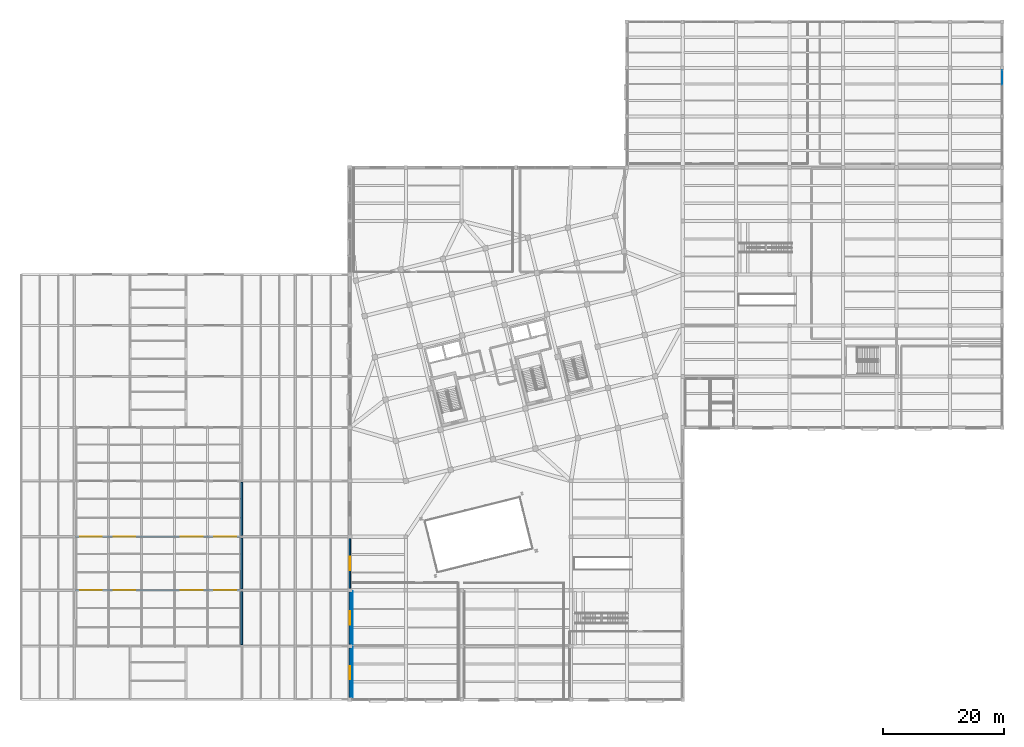
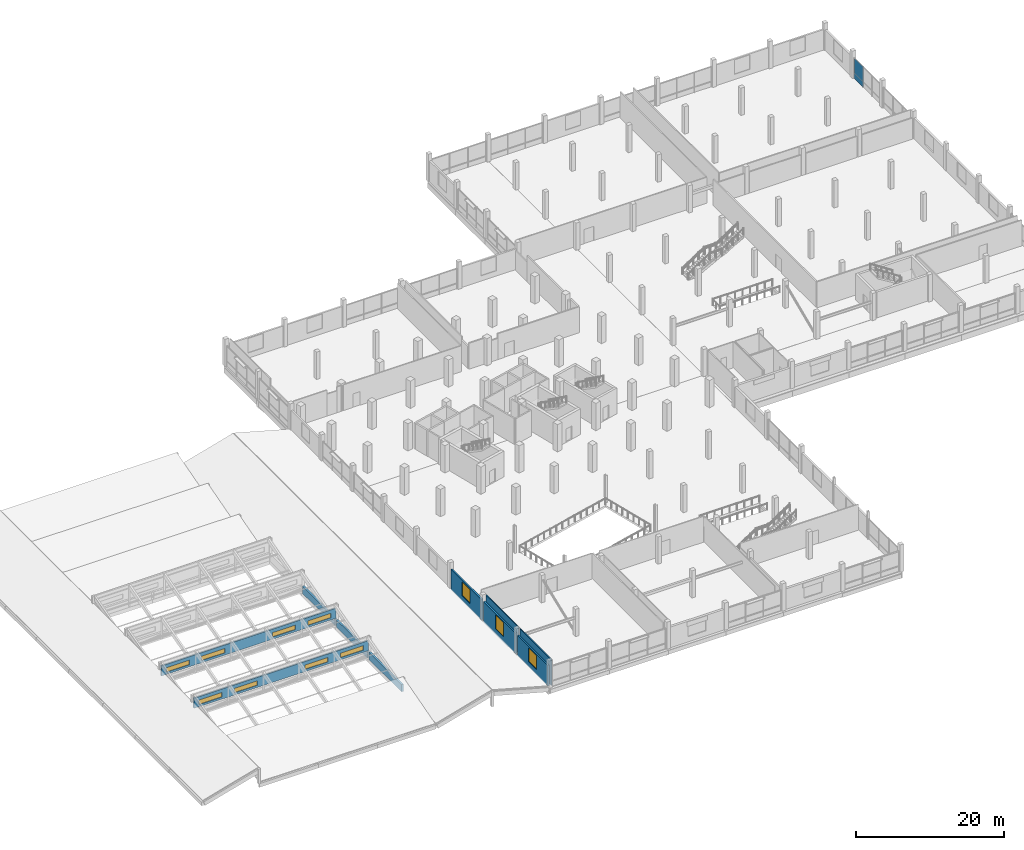
# One storey, part 64 of 77: 11 windows, 10 walls, 2 plates, 11 openings, 1 element without a shape of its own.
"""IFC4 building model written with IfcOpenShell, lengths in metres."""

import ifcopenshell
import ifcopenshell.guid

model = None  # the IFC model being written
_history = None  # IfcOwnerHistory: only IFC2X3 demands one
_inside = {}  # id of a spatial element -> (the spatial element, [elements in it])
_under = {}  # id of a project, library or spatial element -> (it, [spatial elements below it])
_declared = {}  # id of a project -> (the project, [libraries it declares])
_typed = {}  # id of a type object -> (the type object, [elements of that type])
_made_of = {}  # id of a material, layer set ... -> (it, [elements and type objects made of it])


def new_model(schema):
    """Start an empty IFC model of exactly this schema.

    Asked for "IFC4X3", IfcOpenShell would pick the latest addendum, in which some entities
    have other attributes; the version numbers below select the first issue.
    IFC2X3 requires an IfcOwnerHistory on every rooted entity: one is made here for all.
    """
    global model, _history
    if schema == "IFC4X3":
        model = ifcopenshell.file(schema_version=(4, 3, 0, 0))
    else:
        model = ifcopenshell.file(schema=schema)
    _inside.clear()
    _under.clear()
    _declared.clear()
    _typed.clear()
    _made_of.clear()
    _history = None
    if model.schema == "IFC2X3":
        org = make("IfcOrganization", Name="unknown")
        user = make(
            "IfcPersonAndOrganization",
            ThePerson=make("IfcPerson", FamilyName="unknown"),
            TheOrganization=org,
        )
        app = make(
            "IfcApplication",
            ApplicationDeveloper=org,
            Version="unknown",
            ApplicationFullName="unknown",
            ApplicationIdentifier="unknown",
        )
        _history = make(
            "IfcOwnerHistory",
            OwningUser=user,
            OwningApplication=app,
            ChangeAction="ADDED",
            CreationDate=0,
        )
    return model


def make(cls, **values):
    """One entity of the class cls with the attributes given. An attribute that is None is left unset."""
    return model.create_entity(
        cls, **{name: value for name, value in values.items() if value is not None}
    )


def rooted(cls, **values):
    """An entity with a GlobalId (a new one), such as an element, a storey or a relation."""
    return make(cls, GlobalId=ifcopenshell.guid.new(), OwnerHistory=_history, **values)


def si_unit(unit_type, name, prefix=None):
    """IfcSIUnit, for example si_unit("LENGTHUNIT", "METRE", prefix="MILLI")."""
    return make("IfcSIUnit", UnitType=unit_type, Prefix=prefix, Name=name)


def assignment(units):
    """IfcUnitAssignment: the units of a project."""
    return None if units is None else make("IfcUnitAssignment", Units=units)


def point(xyz):
    """IfcCartesianPoint."""
    return None if xyz is None else make("IfcCartesianPoint", Coordinates=xyz)


def direction(xyz):
    """IfcDirection."""
    return None if xyz is None else make("IfcDirection", DirectionRatios=xyz)


def frame(location, z_axis=None, x_axis=None):
    """IfcAxis2Placement3D, a coordinate frame: its origin and axes. An axis left out is left unset."""
    return make(
        "IfcAxis2Placement3D",
        Location=point(location),
        Axis=direction(z_axis),
        RefDirection=direction(x_axis),
    )


def frame_2d(location, x_axis=None):
    """IfcAxis2Placement2D, a coordinate frame in the plane: its origin and x axis."""
    return make(
        "IfcAxis2Placement2D", Location=point(location), RefDirection=direction(x_axis)
    )


def origin():
    """The frame at (0, 0, 0) with its axes left unset."""
    return frame((0.0, 0.0, 0.0))


def origin_2d():
    """The frame at (0, 0) in the plane with its x axis left unset."""
    return frame_2d((0.0, 0.0))


def place(relative_to, where):
    """IfcLocalPlacement: puts the frame where relative to a parent placement (None: the world)."""
    return make(
        "IfcLocalPlacement", PlacementRelTo=relative_to, RelativePlacement=where
    )


def context(
    kind, dimensions, precision=None, world=None, true_north=None, identifier=None
):
    """IfcGeometricRepresentationContext, for example the 3D "Model" context."""
    return make(
        "IfcGeometricRepresentationContext",
        ContextIdentifier=identifier,
        ContextType=kind,
        CoordinateSpaceDimension=dimensions,
        Precision=precision,
        WorldCoordinateSystem=world,
        TrueNorth=true_north,
    )


def subcontext(parent, identifier, kind, view, scale=None):
    """IfcGeometricRepresentationSubContext, for example "Body" below "Model"."""
    return make(
        "IfcGeometricRepresentationSubContext",
        ContextIdentifier=identifier,
        ContextType=kind,
        ParentContext=parent,
        TargetScale=scale,
        TargetView=view,
    )


def project(units=None, contexts=None):
    """IfcProject with its units and contexts."""
    return rooted(
        "IfcProject",
        Name="project",
        RepresentationContexts=contexts,
        UnitsInContext=assignment(units),
    )


def spatial(cls, under=None, at=None, **own):
    """A site, building, storey or space (cls), placed at a placement, below another one or the project."""
    s = rooted(cls, ObjectPlacement=at, **own)
    if under is not None:
        _under.setdefault(under.id(), (under, []))[1].append(s)
    return s


def profile(cls, at=None, kind="AREA", **sizes):
    """A parametric profile (cls). Its sizes go by their IFC names, for example OverallWidth=200.0."""
    return make(cls, ProfileType=kind, Position=at, **sizes)


def rectangle(**sizes):
    """IfcRectangleProfileDef."""
    return profile("IfcRectangleProfileDef", **sizes)


def extrude(swept, where, along, depth):
    """IfcExtrudedAreaSolid: the profile swept, set in the frame where, extruded along a direction by depth."""
    return make(
        "IfcExtrudedAreaSolid",
        SweptArea=swept,
        Position=where,
        ExtrudedDirection=direction(along),
        Depth=depth,
    )


def shape(context_of_items, identifier, shape_type, items):
    """IfcShapeRepresentation: the items that make up one representation, for example the "Body"."""
    return make(
        "IfcShapeRepresentation",
        ContextOfItems=context_of_items,
        RepresentationIdentifier=identifier,
        RepresentationType=shape_type,
        Items=items,
    )


def material(Name=None, Category=None):
    """IfcMaterial."""
    return make("IfcMaterial", Name=Name, Category=Category)


def layer(
    of_material, thickness, ventilated=None, Name=None, Category=None, Priority=None
):
    """IfcMaterialLayer: one layer of a wall or slab, of a material (None: an air gap)."""
    return make(
        "IfcMaterialLayer",
        Material=of_material,
        LayerThickness=thickness,
        IsVentilated=ventilated,
        Name=Name,
        Category=Category,
        Priority=Priority,
    )


def layer_set(layers, Name=None):
    """IfcMaterialLayerSet."""
    return make("IfcMaterialLayerSet", MaterialLayers=layers, LayerSetName=Name)


def made_of(thing, what):
    """Note that an element or type object is made of a material, layer set ...; save() writes the relation."""
    if what is not None:
        _made_of.setdefault(what.id(), (what, []))[1].append(thing)
    return thing


def type_object(cls, material=None, **own):
    """A type object (cls), such as IfcWallType, which elements share."""
    return made_of(rooted(cls, **own), material)


def element(
    cls,
    number,
    at=None,
    inside=None,
    cuts=None,
    type_object=None,
    material=None,
    context=None,
    identifier="Body",
    shape_type=None,
    held_by="IfcProductDefinitionShape",
    body=None,
    shapes=None,
    **own,
):
    """One element of the class cls, such as IfcWall. Its Tag is "e" and its number.

    at: its placement. inside: the storey or other place that contains it. cuts: it is an
    opening in that element (IfcRelVoidsElement). A single representation is given by context,
    identifier, shape_type and body (its items); several are given by shapes. held_by: the class
    of the entity that holds the representations. save() writes the other relations.
    """
    e = rooted(cls, Tag="e%d" % number, ObjectPlacement=at, **own)
    if body is not None:
        shapes = [shape(context, identifier, shape_type, body)]
    if shapes is not None:
        e.Representation = make(held_by, Representations=shapes)
    if inside is not None:
        _inside.setdefault(inside.id(), (inside, []))[1].append(e)
    if cuts is not None:
        rooted(
            "IfcRelVoidsElement", RelatingBuildingElement=cuts, RelatedOpeningElement=e
        )
    if type_object is not None:
        _typed.setdefault(type_object.id(), (type_object, []))[1].append(e)
    return made_of(e, material)


def fill(opening, filler):
    """IfcRelFillsElement: the door or window that sits in an opening."""
    return rooted(
        "IfcRelFillsElement",
        RelatingOpeningElement=opening,
        RelatedBuildingElement=filler,
    )


def aggregate(whole, parts):
    """IfcRelAggregates: a whole, such as a stair, and the parts it consists of."""
    return rooted("IfcRelAggregates", RelatingObject=whole, RelatedObjects=parts)


def save(model, path):
    """Write the relations noted so far, then the file.

    IfcRelAggregates (storeys below a building ...), IfcRelContainedInSpatialStructure (elements
    in a storey), IfcRelDefinesByType, IfcRelAssociatesMaterial and IfcRelDeclares: one each for
    every whole, place, type object, material and project.
    """
    for whole, parts in _under.values():
        aggregate(whole, parts)
    for where, things in _inside.values():
        rooted(
            "IfcRelContainedInSpatialStructure",
            RelatedElements=things,
            RelatingStructure=where,
        )
    for kind, things in _typed.values():
        rooted("IfcRelDefinesByType", RelatedObjects=things, RelatingType=kind)
    for what, things in _made_of.values():
        rooted("IfcRelAssociatesMaterial", RelatedObjects=things, RelatingMaterial=what)
    for by, libraries in _declared.values():
        rooted("IfcRelDeclares", RelatingContext=by, RelatedDefinitions=libraries)
    model.write(path)


model = new_model("IFC4")

# Units and contexts
model_context = context("Model", 3, precision=1e-05, world=origin(), true_north=direction((0.0, 1.0)))
body_context = subcontext(model_context, "Body", "Model", "MODEL_VIEW")
ifc_project = project(units=[si_unit("LENGTHUNIT", "METRE"), si_unit("AREAUNIT", "SQUARE_METRE"), si_unit("VOLUMEUNIT", "CUBIC_METRE"), si_unit("PLANEANGLEUNIT", "RADIAN"), si_unit("MASSUNIT", "GRAM", prefix="KILO")], contexts=[model_context])

# Site, building, storey
site_placement = place(None, origin())
site = spatial("IfcSite", under=ifc_project, at=site_placement, CompositionType="ELEMENT")
building_placement = place(site_placement, origin())
building = spatial("IfcBuilding", under=site, at=building_placement, Name="Meriwether Solvik Hall", CompositionType="ELEMENT")
storey_placement = place(building_placement, frame((0.0, 0.0, 9.89990234375)))
storey = spatial("IfcBuildingStorey", under=building, at=storey_placement, Name="L02", CompositionType="ELEMENT", Elevation=9.89990234375)

# Curtain wall, plates
ifc_material_1 = material(Name="Thermally Broken Anodised Aluminium 6063-T6 and Low-E Glass", Category="aluminium")
ifc_layer_1 = layer(ifc_material_1, 0.179931640625)
ifc_layer_set_1 = layer_set([ifc_layer_1], Name="Thermally Broken Anodised Aluminium 6063-T6 and Low-E Glass")
curtain_wall_type = type_object("IfcCurtainWallType", Name="CW-SF-POD-C", PredefinedType="USERDEFINED", material=ifc_layer_set_1)
curtain_wall_placement = place(storey_placement, origin())
curtain_wall = element("IfcCurtainWall", 1, at=curtain_wall_placement, inside=storey, type_object=curtain_wall_type, Name="Curtain Wall wing_Y19_12_48 (L02)", ObjectType="STICK STOREFRONT GLAZING", PredefinedType="USERDEFINED")
ifc_material_2 = material(Name="Acoustic Laminated Insulating Glass", Category="glass")
ifc_layer_2 = layer(ifc_material_2, 0.035888671875)
ifc_layer_set_2 = layer_set([ifc_layer_2], Name="Acoustic Laminated Insulating Glass")
plate_type_1 = type_object("IfcPlateType", Name="PLT-GLZ-255X215", PredefinedType="CURTAIN_PANEL", material=ifc_layer_set_2)
plate_1_placement = place(storey_placement, frame((166.800048828125, 107.6396484375, 0.880126953125), z_axis=(0.0, 0.0, 1.0), x_axis=(0.0, -1.0, 0.0)))
plate_1 = element("IfcPlate", 2, at=plate_1_placement, type_object=plate_type_1, Name="Low-E Vision Glazing Panel 1", PredefinedType="CURTAIN_PANEL", context=body_context, shape_type="SweptSolid", body=[
    extrude(rectangle(XDim=2.41259765625, YDim=0.033935546875, at=origin_2d()), origin(), (0.0, 0.0, 1.0), 2.455078125),
])
ifc_material_3 = material(Name="Mineral-Wool Insulated Anodised Aluminium 6063-T6", Category="aluminium")
ifc_layer_3 = layer(ifc_material_3, 0.044921875)
ifc_layer_set_3 = layer_set([ifc_layer_3], Name="Mineral-Wool Insulated Anodised Aluminium 6063-T6")
plate_type_2 = type_object("IfcPlateType", Name="PLT-SPN-255X095", PredefinedType="CURTAIN_PANEL", material=ifc_layer_set_3)
plate_2_placement = place(storey_placement, frame((166.800048828125, 107.6396484375, 0.000244140625), z_axis=(0.0, 0.0, 1.0), x_axis=(0.0, -1.0, 0.0)))
plate_2 = element("IfcPlate", 3, at=plate_2_placement, type_object=plate_type_2, Name="Insulated Spandrel Panel 1", PredefinedType="CURTAIN_PANEL", context=body_context, shape_type="SweptSolid", body=[
    extrude(rectangle(XDim=2.41259765625, YDim=0.044921875, at=origin_2d()), origin(), (0.0, 0.0, 1.0), 0.8798828125),
])
aggregate(curtain_wall, [plate_2, plate_1])

# Wall, opening, window
ifc_material_4 = material(Name="Terracotta Cladding on Concrete C40/50", Category="masonry")
ifc_layer_4 = layer(ifc_material_4, 0.2548828125)
ifc_layer_set_4 = layer_set([ifc_layer_4], Name="Terracotta Cladding on Concrete C40/50")
wall_type_1 = type_object("IfcWallType", Name="WALL-EXT-255", PredefinedType="SOLIDWALL", material=ifc_layer_set_4)
wall_1_placement = place(storey_placement, frame((59.39990234375, 5.511962890625, 0.0), z_axis=(0.0, 0.0, 1.0), x_axis=(0.0, 1.0, 0.0)))
wall_1 = element("IfcWall", 4, at=wall_1_placement, inside=storey, type_object=wall_type_1, Name="L02 W Wing Facade Wall Y7_1_24", PredefinedType="SOLIDWALL", context=body_context, shape_type="SweptSolid", body=[
    extrude(rectangle(XDim=8.176025390625, YDim=0.2548828125, at=frame_2d((4.087890625, 0.0))), origin(), (0.0, 0.0, 1.0), 3.39501953125),
])
opening_1_placement = place(wall_1_placement, frame((2.988037109375, 0.0, 0.85009765625)))
opening_1 = element("IfcOpeningElement", 5, at=opening_1_placement, cuts=wall_1, Name="Opening WN-175", PredefinedType="OPENING", context=body_context, shape_type="SweptSolid", body=[
    extrude(rectangle(XDim=2.199951171875, YDim=2.300048828125, at=frame_2d((1.10009765625, 1.14990234375))), frame((0.0, 0.139404296875, 0.0), z_axis=(0.0, -1.0, 0.0), x_axis=(1.0, 0.0, 0.0)), (0.0, 0.0, 1.0), 0.27880859375),
])
ifc_material_5 = material(Name="Thermally Broken Anodised Aluminium and Triple Low-E Glass", Category="aluminium")
window_type_1 = type_object("IfcWindowType", Name="WIN-POD-WEST-220X230", PartitioningType="SINGLE_PANEL", PredefinedType="WINDOW", material=ifc_material_5)
window_1_placement = place(opening_1_placement, origin())
window_1 = element("IfcWindow", 6, at=window_1_placement, inside=storey, type_object=window_type_1, Name="L02 W Window Y7_1_24", OverallHeight=2.300048828125, OverallWidth=2.199951171875, PartitioningType="SINGLE_PANEL", PredefinedType="WINDOW", context=body_context, shape_type="SweptSolid", body=[
    extrude(rectangle(XDim=2.199951171875, YDim=2.300048828125, at=frame_2d((1.10009765625, 1.14990234375))), frame((0.0, 0.030029296875, 0.0), z_axis=(0.0, -1.0, 0.0), x_axis=(1.0, 0.0, 0.0)), (0.0, 0.0, 1.0), 0.06005859375),
])
fill(opening_1, window_1)

wall_2_placement = place(storey_placement, frame((59.39990234375, 14.31201171875, 0.0), z_axis=(0.0, 0.0, 1.0), x_axis=(0.0, 1.0, 0.0)))
wall_2 = element("IfcWall", 7, at=wall_2_placement, inside=storey, type_object=wall_type_1, Name="L02 W Wing Facade Wall Y7_2_25", PredefinedType="SOLIDWALL", context=body_context, shape_type="SweptSolid", body=[
    extrude(rectangle(XDim=8.575927734375, YDim=0.2548828125, at=frame_2d((4.2880859375, 0.0))), origin(), (0.0, 0.0, 1.0), 3.39501953125),
])
opening_2_placement = place(wall_2_placement, frame((3.18798828125, 0.0, 0.85009765625)))
opening_2 = element("IfcOpeningElement", 8, at=opening_2_placement, cuts=wall_2, Name="Opening WN-175", PredefinedType="OPENING", context=body_context, shape_type="SweptSolid", body=[
    extrude(rectangle(XDim=2.199951171875, YDim=2.300048828125, at=frame_2d((1.10009765625, 1.14990234375))), frame((0.0, 0.139404296875, 0.0), z_axis=(0.0, -1.0, 0.0), x_axis=(1.0, 0.0, 0.0)), (0.0, 0.0, 1.0), 0.27880859375),
])
window_2_placement = place(opening_2_placement, origin())
window_2 = element("IfcWindow", 9, at=window_2_placement, inside=storey, type_object=window_type_1, Name="L02 W Window Y7_2_25", OverallHeight=2.300048828125, OverallWidth=2.199951171875, PartitioningType="SINGLE_PANEL", PredefinedType="WINDOW", context=body_context, shape_type="SweptSolid", body=[
    extrude(rectangle(XDim=2.199951171875, YDim=2.300048828125, at=frame_2d((1.10009765625, 1.14990234375))), frame((0.0, 0.030029296875, 0.0), z_axis=(0.0, -1.0, 0.0), x_axis=(1.0, 0.0, 0.0)), (0.0, 0.0, 1.0), 0.06005859375),
])
fill(opening_2, window_2)

wall_3_placement = place(storey_placement, frame((59.39990234375, 23.511962890625, 0.0), z_axis=(0.0, 0.0, 1.0), x_axis=(0.0, 1.0, 0.0)))
wall_3 = element("IfcWall", 10, at=wall_3_placement, inside=storey, type_object=wall_type_1, Name="L02 W Wing Facade Wall Y7_3_26", PredefinedType="SOLIDWALL", context=body_context, shape_type="SweptSolid", body=[
    extrude(rectangle(XDim=8.176025390625, YDim=0.2548828125, at=frame_2d((4.087890625, 0.0))), origin(), (0.0, 0.0, 1.0), 3.39501953125),
])
opening_3_placement = place(wall_3_placement, frame((2.988037109375, 0.0, 0.85009765625)))
opening_3 = element("IfcOpeningElement", 11, at=opening_3_placement, cuts=wall_3, Name="Opening WN-175", PredefinedType="OPENING", context=body_context, shape_type="SweptSolid", body=[
    extrude(rectangle(XDim=2.199951171875, YDim=2.300048828125, at=frame_2d((1.10009765625, 1.14990234375))), frame((0.0, 0.139404296875, 0.0), z_axis=(0.0, -1.0, 0.0), x_axis=(1.0, 0.0, 0.0)), (0.0, 0.0, 1.0), 0.27880859375),
])
window_3_placement = place(opening_3_placement, origin())
window_3 = element("IfcWindow", 12, at=window_3_placement, inside=storey, type_object=window_type_1, Name="L02 W Window Y7_3_26", OverallHeight=2.300048828125, OverallWidth=2.199951171875, PartitioningType="SINGLE_PANEL", PredefinedType="WINDOW", context=body_context, shape_type="SweptSolid", body=[
    extrude(rectangle(XDim=2.199951171875, YDim=2.300048828125, at=frame_2d((1.10009765625, 1.14990234375))), frame((0.0, 0.030029296875, 0.0), z_axis=(0.0, -1.0, 0.0), x_axis=(1.0, 0.0, 0.0)), (0.0, 0.0, 1.0), 0.06005859375),
])
fill(opening_3, window_3)

# Walls
ifc_material_6 = material(Name="Cross-Laminated Timber and Mineral-Wool Insulation", Category="wood")
ifc_layer_5 = layer(ifc_material_6, 0.2900390625)
ifc_layer_set_5 = layer_set([ifc_layer_5], Name="Cross-Laminated Timber and Mineral-Wool Insulation")
wall_type_2 = type_object("IfcWallType", Name="WALL-EXT-290", PredefinedType="SOLIDWALL", material=ifc_layer_set_5)
wall_4_placement = place(storey_placement, frame((41.60009765625, 14.18994140625, 0.0), z_axis=(0.0, 0.0, 1.0), x_axis=(0.0, 1.0, 0.0)))
element("IfcWall", 13, at=wall_4_placement, inside=storey, type_object=wall_type_2, Name="Sanctuary Clerestory Wall E1", PredefinedType="SOLIDWALL", context=body_context, shape_type="SweptSolid", body=[
    extrude(rectangle(XDim=8.820068359375, YDim=0.2900390625, at=frame_2d((4.41015625, 0.0))), origin(), (0.0, 0.0, 1.0), 1.2001953125),
])
wall_5_placement = place(storey_placement, frame((41.60009765625, 23.389892578125, 0.0), z_axis=(0.0, 0.0, 1.0), x_axis=(0.0, 1.0, 0.0)))
element("IfcWall", 14, at=wall_5_placement, inside=storey, type_object=wall_type_2, Name="Sanctuary Clerestory Wall E2", PredefinedType="SOLIDWALL", context=body_context, shape_type="SweptSolid", body=[
    extrude(rectangle(XDim=8.420166015625, YDim=0.2900390625, at=frame_2d((4.2099609375, 0.0))), origin(), (0.0, 0.0, 1.0), 1.2001953125),
])
wall_6_placement = place(storey_placement, frame((41.60009765625, 32.18994140625, 0.0), z_axis=(0.0, 0.0, 1.0), x_axis=(0.0, 1.0, 0.0)))
element("IfcWall", 15, at=wall_6_placement, inside=storey, type_object=wall_type_2, Name="Sanctuary Clerestory Wall E3", PredefinedType="SOLIDWALL", context=body_context, shape_type="SweptSolid", body=[
    extrude(rectangle(XDim=8.820068359375, YDim=0.2900390625, at=frame_2d((4.41015625, 0.0))), origin(), (0.0, 0.0, 1.0), 1.2001953125),
])

# Wall, openings, windows
ifc_material_7 = material(Name="Cross-Laminated Timber and Polyisocyanurate Insulation", Category="wood")
ifc_layer_6 = layer(ifc_material_7, 0.22998046875)
ifc_layer_set_6 = layer_set([ifc_layer_6], Name="Cross-Laminated Timber and Polyisocyanurate Insulation")
wall_type_3 = type_object("IfcWallType", Name="WALL-MON-230", PredefinedType="SOLIDWALL", material=ifc_layer_set_6)
wall_7_placement = place(storey_placement, frame((41.409912109375, 23.199951171875, 1.420166015625), z_axis=(0.0, 0.0, 1.0), x_axis=(-1.0, 0.0, 0.0)))
wall_7 = element("IfcWall", 16, at=wall_7_placement, inside=storey, type_object=wall_type_3, Name="Sawtooth Monitor Clerestory Wall sanc_saw_1", PredefinedType="SOLIDWALL", context=body_context, shape_type="SweptSolid", body=[
    extrude(rectangle(XDim=27.219970703125, YDim=0.22998046875, at=frame_2d((13.60986328125, 0.0))), origin(), (0.0, 0.0, 1.0), 1.659912109375),
])
opening_4_placement = place(wall_7_placement, frame((0.77001953125, 0.0, 0.35009765625)))
opening_4 = element("IfcOpeningElement", 17, at=opening_4_placement, cuts=wall_7, Name="Opening SK-130", PredefinedType="OPENING", context=body_context, shape_type="SweptSolid", body=[
    extrude(rectangle(XDim=3.60009765625, YDim=0.75, at=frame_2d((1.800048828125, 0.375))), frame((0.0, 0.126953125, 0.0), z_axis=(0.0, -1.0, 0.0), x_axis=(1.0, 0.0, 0.0)), (0.0, 0.0, 1.0), 0.25390625),
])
opening_5_placement = place(wall_7_placement, frame((6.2900390625, 0.0, 0.35009765625)))
opening_5 = element("IfcOpeningElement", 18, at=opening_5_placement, cuts=wall_7, Name="Opening SK-130", PredefinedType="OPENING", context=body_context, shape_type="SweptSolid", body=[
    extrude(rectangle(XDim=3.60009765625, YDim=0.75, at=frame_2d((1.800048828125, 0.375))), frame((0.0, 0.126953125, 0.0), z_axis=(0.0, -1.0, 0.0), x_axis=(1.0, 0.0, 0.0)), (0.0, 0.0, 1.0), 0.25390625),
])
opening_6_placement = place(wall_7_placement, frame((17.330078125, 0.0, 0.35009765625)))
opening_6 = element("IfcOpeningElement", 19, at=opening_6_placement, cuts=wall_7, Name="Opening SK-130", PredefinedType="OPENING", context=body_context, shape_type="SweptSolid", body=[
    extrude(rectangle(XDim=3.60009765625, YDim=0.75, at=frame_2d((1.800048828125, 0.375))), frame((0.0, 0.126953125, 0.0), z_axis=(0.0, -1.0, 0.0), x_axis=(1.0, 0.0, 0.0)), (0.0, 0.0, 1.0), 0.25390625),
])
opening_7_placement = place(wall_7_placement, frame((22.85009765625, 0.0, 0.35009765625)))
opening_7 = element("IfcOpeningElement", 20, at=opening_7_placement, cuts=wall_7, Name="Opening SK-130", PredefinedType="OPENING", context=body_context, shape_type="SweptSolid", body=[
    extrude(rectangle(XDim=3.60009765625, YDim=0.75, at=frame_2d((1.800048828125, 0.375))), frame((0.0, 0.126953125, 0.0), z_axis=(0.0, -1.0, 0.0), x_axis=(1.0, 0.0, 0.0)), (0.0, 0.0, 1.0), 0.25390625),
])
ifc_material_8 = material(Name="Thermally Broken Anodised Aluminium and Triple Low-E Glass", Category="aluminium")
window_type_2 = type_object("IfcWindowType", Name="SKY-MON-360X075", PartitioningType="SINGLE_PANEL", PredefinedType="SKYLIGHT", material=ifc_material_8)
window_4_placement = place(opening_4_placement, origin())
window_4 = element("IfcWindow", 21, at=window_4_placement, inside=storey, type_object=window_type_2, Name="Sawtooth Northlight Skylight sanc_saw_1-1", OverallHeight=0.75, OverallWidth=3.60009765625, PartitioningType="SINGLE_PANEL", PredefinedType="SKYLIGHT", context=body_context, shape_type="SweptSolid", body=[
    extrude(rectangle(XDim=3.60009765625, YDim=0.75, at=frame_2d((1.800048828125, 0.375))), frame((0.0, 0.030029296875, 0.0), z_axis=(0.0, -1.0, 0.0), x_axis=(1.0, 0.0, 0.0)), (0.0, 0.0, 1.0), 0.06005859375),
])
fill(opening_4, window_4)
window_5_placement = place(opening_5_placement, origin())
window_5 = element("IfcWindow", 22, at=window_5_placement, inside=storey, type_object=window_type_2, Name="Sawtooth Northlight Skylight sanc_saw_1-2", OverallHeight=0.75, OverallWidth=3.60009765625, PartitioningType="SINGLE_PANEL", PredefinedType="SKYLIGHT", context=body_context, shape_type="SweptSolid", body=[
    extrude(rectangle(XDim=3.60009765625, YDim=0.75, at=frame_2d((1.800048828125, 0.375))), frame((0.0, 0.030029296875, 0.0), z_axis=(0.0, -1.0, 0.0), x_axis=(1.0, 0.0, 0.0)), (0.0, 0.0, 1.0), 0.06005859375),
])
fill(opening_5, window_5)
window_6_placement = place(opening_6_placement, origin())
window_6 = element("IfcWindow", 23, at=window_6_placement, inside=storey, type_object=window_type_2, Name="Sawtooth Northlight Skylight sanc_saw_1-3", OverallHeight=0.75, OverallWidth=3.60009765625, PartitioningType="SINGLE_PANEL", PredefinedType="SKYLIGHT", context=body_context, shape_type="SweptSolid", body=[
    extrude(rectangle(XDim=3.60009765625, YDim=0.75, at=frame_2d((1.800048828125, 0.375))), frame((0.0, 0.030029296875, 0.0), z_axis=(0.0, -1.0, 0.0), x_axis=(1.0, 0.0, 0.0)), (0.0, 0.0, 1.0), 0.06005859375),
])
fill(opening_6, window_6)
window_7_placement = place(opening_7_placement, origin())
window_7 = element("IfcWindow", 24, at=window_7_placement, inside=storey, type_object=window_type_2, Name="Sawtooth Northlight Skylight sanc_saw_1-4", OverallHeight=0.75, OverallWidth=3.60009765625, PartitioningType="SINGLE_PANEL", PredefinedType="SKYLIGHT", context=body_context, shape_type="SweptSolid", body=[
    extrude(rectangle(XDim=3.60009765625, YDim=0.75, at=frame_2d((1.800048828125, 0.375))), frame((0.0, 0.030029296875, 0.0), z_axis=(0.0, -1.0, 0.0), x_axis=(1.0, 0.0, 0.0)), (0.0, 0.0, 1.0), 0.06005859375),
])
fill(opening_7, window_7)

wall_8_placement = place(storey_placement, frame((41.409912109375, 32.0, 1.420166015625), z_axis=(0.0, 0.0, 1.0), x_axis=(-1.0, 0.0, 0.0)))
wall_8 = element("IfcWall", 25, at=wall_8_placement, inside=storey, type_object=wall_type_3, Name="Sawtooth Monitor Clerestory Wall sanc_saw_2", PredefinedType="SOLIDWALL", context=body_context, shape_type="SweptSolid", body=[
    extrude(rectangle(XDim=27.219970703125, YDim=0.22998046875, at=frame_2d((13.60986328125, 0.0))), origin(), (0.0, 0.0, 1.0), 1.659912109375),
])
opening_8_placement = place(wall_8_placement, frame((0.77001953125, 0.0, 0.35009765625)))
opening_8 = element("IfcOpeningElement", 26, at=opening_8_placement, cuts=wall_8, Name="Opening SK-130", PredefinedType="OPENING", context=body_context, shape_type="SweptSolid", body=[
    extrude(rectangle(XDim=3.60009765625, YDim=0.75, at=frame_2d((1.800048828125, 0.375))), frame((0.0, 0.126953125, 0.0), z_axis=(0.0, -1.0, 0.0), x_axis=(1.0, 0.0, 0.0)), (0.0, 0.0, 1.0), 0.25390625),
])
opening_9_placement = place(wall_8_placement, frame((6.2900390625, 0.0, 0.35009765625)))
opening_9 = element("IfcOpeningElement", 27, at=opening_9_placement, cuts=wall_8, Name="Opening SK-130", PredefinedType="OPENING", context=body_context, shape_type="SweptSolid", body=[
    extrude(rectangle(XDim=3.60009765625, YDim=0.75, at=frame_2d((1.800048828125, 0.375))), frame((0.0, 0.126953125, 0.0), z_axis=(0.0, -1.0, 0.0), x_axis=(1.0, 0.0, 0.0)), (0.0, 0.0, 1.0), 0.25390625),
])
opening_10_placement = place(wall_8_placement, frame((17.330078125, 0.0, 0.35009765625)))
opening_10 = element("IfcOpeningElement", 28, at=opening_10_placement, cuts=wall_8, Name="Opening SK-130", PredefinedType="OPENING", context=body_context, shape_type="SweptSolid", body=[
    extrude(rectangle(XDim=3.60009765625, YDim=0.75, at=frame_2d((1.800048828125, 0.375))), frame((0.0, 0.126953125, 0.0), z_axis=(0.0, -1.0, 0.0), x_axis=(1.0, 0.0, 0.0)), (0.0, 0.0, 1.0), 0.25390625),
])
opening_11_placement = place(wall_8_placement, frame((22.85009765625, 0.0, 0.35009765625)))
opening_11 = element("IfcOpeningElement", 29, at=opening_11_placement, cuts=wall_8, Name="Opening SK-130", PredefinedType="OPENING", context=body_context, shape_type="SweptSolid", body=[
    extrude(rectangle(XDim=3.60009765625, YDim=0.75, at=frame_2d((1.800048828125, 0.375))), frame((0.0, 0.126953125, 0.0), z_axis=(0.0, -1.0, 0.0), x_axis=(1.0, 0.0, 0.0)), (0.0, 0.0, 1.0), 0.25390625),
])
window_8_placement = place(opening_8_placement, origin())
window_8 = element("IfcWindow", 30, at=window_8_placement, inside=storey, type_object=window_type_2, Name="Sawtooth Northlight Skylight sanc_saw_2-1", OverallHeight=0.75, OverallWidth=3.60009765625, PartitioningType="SINGLE_PANEL", PredefinedType="SKYLIGHT", context=body_context, shape_type="SweptSolid", body=[
    extrude(rectangle(XDim=3.60009765625, YDim=0.75, at=frame_2d((1.800048828125, 0.375))), frame((0.0, 0.030029296875, 0.0), z_axis=(0.0, -1.0, 0.0), x_axis=(1.0, 0.0, 0.0)), (0.0, 0.0, 1.0), 0.06005859375),
])
fill(opening_8, window_8)
window_9_placement = place(opening_9_placement, origin())
window_9 = element("IfcWindow", 31, at=window_9_placement, inside=storey, type_object=window_type_2, Name="Sawtooth Northlight Skylight sanc_saw_2-2", OverallHeight=0.75, OverallWidth=3.60009765625, PartitioningType="SINGLE_PANEL", PredefinedType="SKYLIGHT", context=body_context, shape_type="SweptSolid", body=[
    extrude(rectangle(XDim=3.60009765625, YDim=0.75, at=frame_2d((1.800048828125, 0.375))), frame((0.0, 0.030029296875, 0.0), z_axis=(0.0, -1.0, 0.0), x_axis=(1.0, 0.0, 0.0)), (0.0, 0.0, 1.0), 0.06005859375),
])
fill(opening_9, window_9)
window_10_placement = place(opening_10_placement, origin())
window_10 = element("IfcWindow", 32, at=window_10_placement, inside=storey, type_object=window_type_2, Name="Sawtooth Northlight Skylight sanc_saw_2-3", OverallHeight=0.75, OverallWidth=3.60009765625, PartitioningType="SINGLE_PANEL", PredefinedType="SKYLIGHT", context=body_context, shape_type="SweptSolid", body=[
    extrude(rectangle(XDim=3.60009765625, YDim=0.75, at=frame_2d((1.800048828125, 0.375))), frame((0.0, 0.030029296875, 0.0), z_axis=(0.0, -1.0, 0.0), x_axis=(1.0, 0.0, 0.0)), (0.0, 0.0, 1.0), 0.06005859375),
])
fill(opening_10, window_10)
window_11_placement = place(opening_11_placement, origin())
window_11 = element("IfcWindow", 33, at=window_11_placement, inside=storey, type_object=window_type_2, Name="Sawtooth Northlight Skylight sanc_saw_2-4", OverallHeight=0.75, OverallWidth=3.60009765625, PartitioningType="SINGLE_PANEL", PredefinedType="SKYLIGHT", context=body_context, shape_type="SweptSolid", body=[
    extrude(rectangle(XDim=3.60009765625, YDim=0.75, at=frame_2d((1.800048828125, 0.375))), frame((0.0, 0.030029296875, 0.0), z_axis=(0.0, -1.0, 0.0), x_axis=(1.0, 0.0, 0.0)), (0.0, 0.0, 1.0), 0.06005859375),
])
fill(opening_11, window_11)

# Walls
ifc_material_9 = material(Name="Gypsum Board Partition", Category="gypsum")
ifc_layer_7 = layer(ifc_material_9, 0.14990234375)
ifc_layer_set_7 = layer_set([ifc_layer_7], Name="Gypsum Board Partition")
wall_type_4 = type_object("IfcWallType", Name="WALL-PART-150", PredefinedType="PARTITIONING", material=ifc_layer_set_7)
wall_9_placement = place(storey_placement, frame((59.800048828125, 23.01953125, 0.0), z_axis=(0.0, 0.0, 1.0), x_axis=(0.0, -1.0, 0.0)))
element("IfcWall", 34, at=wall_9_placement, inside=storey, type_object=wall_type_4, Name="L02 Interior Partition cls_201_w", PredefinedType="PARTITIONING", context=body_context, shape_type="SweptSolid", body=[
    extrude(rectangle(XDim=8.8388671875, YDim=0.14990234375, at=frame_2d((4.41943359375, 0.0))), origin(), (0.0, 0.0, 1.0), 4.255126953125),
])
wall_10_placement = place(storey_placement, frame((59.800048828125, 13.8193359375, 0.0), z_axis=(0.0, 0.0, 1.0), x_axis=(0.0, -1.0, 0.0)))
element("IfcWall", 35, at=wall_10_placement, inside=storey, type_object=wall_type_4, Name="L02 Interior Partition cls_201_w_s2", PredefinedType="PARTITIONING", context=body_context, shape_type="SweptSolid", body=[
    extrude(rectangle(XDim=8.438720703125, YDim=0.14990234375, at=frame_2d((4.21923828125, 0.0))), origin(), (0.0, 0.0, 1.0), 4.255126953125),
])

save(model, "model.ifc")
